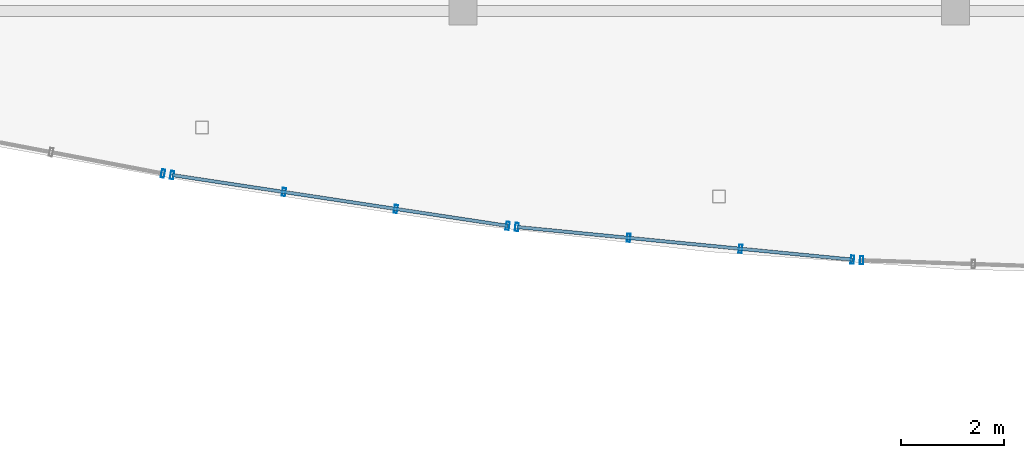
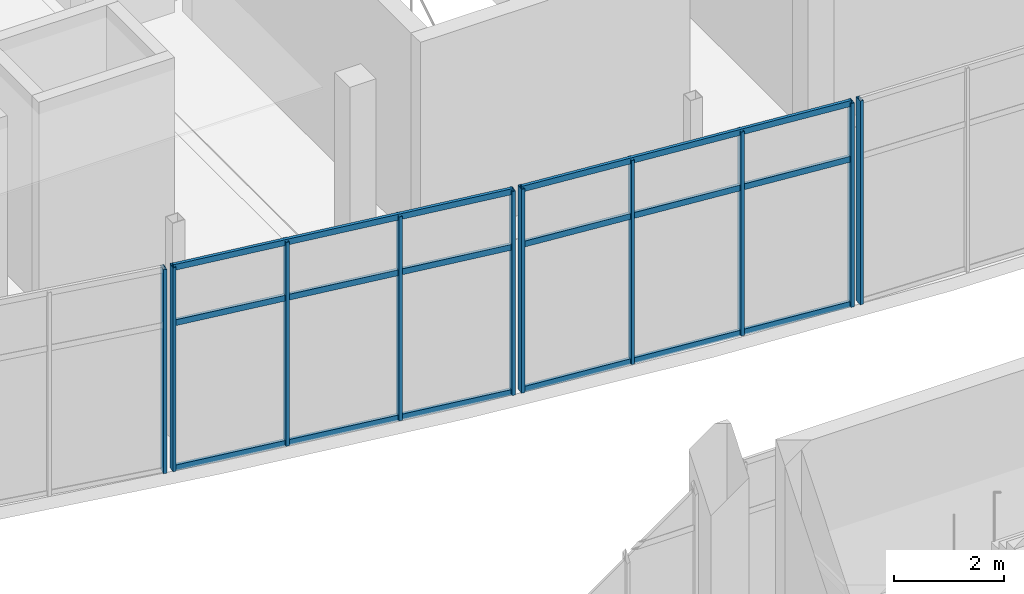
# One storey, part 79 of 157: 16 members, 4 elements without a shape of their own.
"""IFC4 building model written with IfcOpenShell, lengths in metres."""

from ifc_helpers import new_model, si_unit, direction, frame, origin, origin_2d, place, context, subcontext, project, spatial, hollow_rectangle, extrude, material, layer, layer_set, material_profile, profile_set, type_object, element, aggregate, save


model = new_model("IFC4")

# Units and contexts
model_context = context("Model", 3, precision=1e-05, world=origin(), true_north=direction((0.0, 1.0)))
body_context = subcontext(model_context, "Body", "Model", "MODEL_VIEW")
ifc_project = project(units=[si_unit("LENGTHUNIT", "METRE"), si_unit("AREAUNIT", "SQUARE_METRE"), si_unit("VOLUMEUNIT", "CUBIC_METRE"), si_unit("PLANEANGLEUNIT", "RADIAN"), si_unit("MASSUNIT", "GRAM", prefix="KILO")], contexts=[model_context])

# Site, building, storey
site_placement = place(None, origin())
site = spatial("IfcSite", under=ifc_project, at=site_placement, CompositionType="ELEMENT")
building_placement = place(site_placement, origin())
building = spatial("IfcBuilding", under=site, at=building_placement, Name="Chalmorin Arch Market", CompositionType="ELEMENT")
storey_placement = place(building_placement, frame((0.0, 0.0, 4.800048828125)))
storey = spatial("IfcBuildingStorey", under=building, at=storey_placement, Name="L01", CompositionType="ELEMENT", Elevation=4.800048828125)

# Curtain wall, member
ifc_material = material(Name="Aluminium 6063-T6", Category="aluminium")
ifc_layer_1 = layer(ifc_material, 0.159912109375)
ifc_layer_set_1 = layer_set([ifc_layer_1], Name="Aluminium 6063-T6")
curtain_wall_type_1 = type_object("IfcCurtainWallType", Name="CulinaryStudioCurtainWall-CW3-6660x4520", PredefinedType="NOTDEFINED", material=ifc_layer_set_1)
curtain_wall_1_placement = place(storey_placement, origin())
curtain_wall_1 = element("IfcCurtainWall", 1, at=curtain_wall_1_placement, inside=storey, type_object=curtain_wall_type_1, Name="CW-03-153", PredefinedType="NOTDEFINED")
ifc_material_profile_1 = material_profile(ifc_material, hollow_rectangle(XDim=0.06494140625, YDim=0.159912109375, WallThickness=0.00390625, at=origin_2d()), Name="ALU65X160X4")
ifc_profile_set_1 = profile_set([ifc_material_profile_1], Name="Aluminium 6063-T6")
member_type_1 = type_object("IfcMemberType", Name="CurtainWallMullion-65x160", PredefinedType="MULLION", material=ifc_profile_set_1)
member_1_placement = place(storey_placement, frame((61.3515625, 68.8330078125, 0.0), z_axis=(0.0, 0.0, 1.0), x_axis=(0.981627183448, -0.190808995377, 0.0)))
member_1 = element("IfcMember", 2, at=member_1_placement, type_object=member_type_1, Name="ML-153-04", PredefinedType="MULLION", context=body_context, shape_type="SweptSolid", body=[
    extrude(hollow_rectangle(XDim=0.06494140625, YDim=0.159912109375, WallThickness=0.00390625, at=origin_2d()), origin(), (0.0, 0.0, 1.0), 4.52001953125),
])
aggregate(curtain_wall_1, [member_1])

# Curtain wall, members
ifc_layer_2 = layer(ifc_material, 0.159912109375)
ifc_layer_set_2 = layer_set([ifc_layer_2], Name="Aluminium 6063-T6")
curtain_wall_type_2 = type_object("IfcCurtainWallType", Name="CulinaryStudioCurtainWall-CW3-6620x4520", PredefinedType="NOTDEFINED", material=ifc_layer_set_2)
curtain_wall_2_placement = place(storey_placement, origin())
curtain_wall_2 = element("IfcCurtainWall", 3, at=curtain_wall_2_placement, inside=storey, type_object=curtain_wall_type_2, Name="CW-03-156", PredefinedType="NOTDEFINED")
member_2_placement = place(storey_placement, frame((61.529052734375, 68.802490234375, 0.0), z_axis=(0.0, 0.0, 1.0), x_axis=(0.987688340595, -0.15643446504, 0.0)))
member_2 = element("IfcMember", 4, at=member_2_placement, type_object=member_type_1, Name="ML-156-01", PredefinedType="MULLION", context=body_context, shape_type="SweptSolid", body=[
    extrude(hollow_rectangle(XDim=0.06494140625, YDim=0.159912109375, WallThickness=0.00390625, at=origin_2d()), origin(), (0.0, 0.0, 1.0), 4.52001953125),
])
member_3_placement = place(storey_placement, frame((63.709716796875, 68.472412109375, 0.0), z_axis=(0.0, 0.0, 1.0), x_axis=(0.987688340595, -0.15643446504, 0.0)))
member_3 = element("IfcMember", 5, at=member_3_placement, type_object=member_type_1, Name="ML-156-02", PredefinedType="MULLION", context=body_context, shape_type="SweptSolid", body=[
    extrude(hollow_rectangle(XDim=0.06494140625, YDim=0.159912109375, WallThickness=0.00390625, at=origin_2d()), origin(), (0.0, 0.0, 1.0), 4.52001953125),
])
member_4_placement = place(storey_placement, frame((65.890380859375, 68.142578125, 0.0), z_axis=(0.0, 0.0, 1.0), x_axis=(0.987688340595, -0.15643446504, 0.0)))
member_4 = element("IfcMember", 6, at=member_4_placement, type_object=member_type_1, Name="ML-156-03", PredefinedType="MULLION", context=body_context, shape_type="SweptSolid", body=[
    extrude(hollow_rectangle(XDim=0.06494140625, YDim=0.159912109375, WallThickness=0.00390625, at=origin_2d()), origin(), (0.0, 0.0, 1.0), 4.52001953125),
])
member_5_placement = place(storey_placement, frame((68.071044921875, 67.8125, 0.0), z_axis=(0.0, 0.0, 1.0), x_axis=(0.987688340595, -0.15643446504, 0.0)))
member_5 = element("IfcMember", 7, at=member_5_placement, type_object=member_type_1, Name="ML-156-04", PredefinedType="MULLION", context=body_context, shape_type="SweptSolid", body=[
    extrude(hollow_rectangle(XDim=0.06494140625, YDim=0.159912109375, WallThickness=0.00390625, at=origin_2d()), origin(), (0.0, 0.0, 1.0), 4.52001953125),
])

ifc_layer_3 = layer(ifc_material, 0.159912109375)
ifc_layer_set_3 = layer_set([ifc_layer_3], Name="Aluminium 6063-T6")
curtain_wall_type_3 = type_object("IfcCurtainWallType", Name="CulinaryStudioCurtainWall-CW3-6570x4520", PredefinedType="NOTDEFINED", material=ifc_layer_set_3)
curtain_wall_3_placement = place(storey_placement, origin())
curtain_wall_3 = element("IfcCurtainWall", 8, at=curtain_wall_3_placement, inside=storey, type_object=curtain_wall_type_3, Name="CW-03-159", PredefinedType="NOTDEFINED")
member_6_placement = place(storey_placement, frame((68.24951171875, 67.790283203125, 0.0), z_axis=(0.0, 0.0, 1.0), x_axis=(0.994521895368, -0.104528463268, 0.0)))
member_6 = element("IfcMember", 9, at=member_6_placement, type_object=member_type_1, Name="ML-159-01", PredefinedType="MULLION", context=body_context, shape_type="SweptSolid", body=[
    extrude(hollow_rectangle(XDim=0.06494140625, YDim=0.159912109375, WallThickness=0.00390625, at=origin_2d()), origin(), (0.0, 0.0, 1.0), 4.52001953125),
])
member_7_placement = place(storey_placement, frame((70.429931640625, 67.578125, 0.0), z_axis=(0.0, 0.0, 1.0), x_axis=(0.994521895368, -0.104528463268, 0.0)))
member_7 = element("IfcMember", 10, at=member_7_placement, type_object=member_type_1, Name="ML-159-02", PredefinedType="MULLION", context=body_context, shape_type="SweptSolid", body=[
    extrude(hollow_rectangle(XDim=0.06494140625, YDim=0.159912109375, WallThickness=0.00390625, at=origin_2d()), origin(), (0.0, 0.0, 1.0), 4.52001953125),
])
member_8_placement = place(storey_placement, frame((72.610107421875, 67.365966796875, 0.0), z_axis=(0.0, 0.0, 1.0), x_axis=(0.994521895368, -0.104528463268, 0.0)))
member_8 = element("IfcMember", 11, at=member_8_placement, type_object=member_type_1, Name="ML-159-03", PredefinedType="MULLION", context=body_context, shape_type="SweptSolid", body=[
    extrude(hollow_rectangle(XDim=0.06494140625, YDim=0.159912109375, WallThickness=0.00390625, at=origin_2d()), origin(), (0.0, 0.0, 1.0), 4.52001953125),
])
member_9_placement = place(storey_placement, frame((74.790283203125, 67.15380859375, 0.0), z_axis=(0.0, 0.0, 1.0), x_axis=(0.994521895368, -0.104528463268, 0.0)))
member_9 = element("IfcMember", 12, at=member_9_placement, type_object=member_type_1, Name="ML-159-04", PredefinedType="MULLION", context=body_context, shape_type="SweptSolid", body=[
    extrude(hollow_rectangle(XDim=0.06494140625, YDim=0.159912109375, WallThickness=0.00390625, at=origin_2d()), origin(), (0.0, 0.0, 1.0), 4.52001953125),
])

# Curtain wall, member
ifc_layer_4 = layer(ifc_material, 0.159912109375)
ifc_layer_set_4 = layer_set([ifc_layer_4], Name="Aluminium 6063-T6")
curtain_wall_type_4 = type_object("IfcCurtainWallType", Name="CulinaryStudioCurtainWall-CW3-6540x4520", PredefinedType="NOTDEFINED", material=ifc_layer_set_4)
curtain_wall_4_placement = place(storey_placement, origin())
curtain_wall_4 = element("IfcCurtainWall", 13, at=curtain_wall_4_placement, inside=storey, type_object=curtain_wall_type_4, Name="CW-03-162", PredefinedType="NOTDEFINED")
member_10_placement = place(storey_placement, frame((74.969970703125, 67.14208984375, 0.0), z_axis=(0.0, 0.0, 1.0), x_axis=(0.999390827019, -0.034899496703, 0.0)))
member_10 = element("IfcMember", 14, at=member_10_placement, type_object=member_type_1, Name="ML-162-01", PredefinedType="MULLION", context=body_context, shape_type="SweptSolid", body=[
    extrude(hollow_rectangle(XDim=0.06494140625, YDim=0.159912109375, WallThickness=0.00390625, at=origin_2d()), origin(), (0.0, 0.0, 1.0), 4.52001953125),
])
aggregate(curtain_wall_4, [member_10])

# Member
ifc_material_profile_2 = material_profile(ifc_material, hollow_rectangle(XDim=0.06494140625, YDim=0.1298828125, WallThickness=0.00390625, at=origin_2d()), Name="ALU65X130X4")
ifc_profile_set_2 = profile_set([ifc_material_profile_2], Name="Aluminium 6063-T6")
member_type_2 = type_object("IfcMemberType", Name="CurtainWallTransom-65x130", PredefinedType="USERDEFINED", material=ifc_profile_set_2)
member_11_placement = place(storey_placement, frame((61.529052734375, 68.802490234375, 0.034912109375), z_axis=(0.988742814157, -0.149625022817, 0.0), x_axis=(0.149625022817, 0.988742814157, 0.0)))
member_11 = element("IfcMember", 15, at=member_11_placement, type_object=member_type_2, Name="TR-156-01", ObjectType="TRANSOM", PredefinedType="USERDEFINED", context=body_context, shape_type="SweptSolid", body=[
    extrude(hollow_rectangle(XDim=0.06494140625, YDim=0.1298828125, WallThickness=0.00390625, at=origin_2d()), origin(), (0.0, 0.0, 1.0), 6.616455078125),
])

member_12_placement = place(storey_placement, frame((61.529052734375, 68.802490234375, 3.25439453125), z_axis=(0.988742814157, -0.149625022817, 0.0), x_axis=(0.149625022817, 0.988742814157, 0.0)))
member_12 = element("IfcMember", 16, at=member_12_placement, type_object=member_type_2, Name="TR-156-02", ObjectType="TRANSOM", PredefinedType="USERDEFINED", context=body_context, shape_type="SweptSolid", body=[
    extrude(hollow_rectangle(XDim=0.06494140625, YDim=0.1298828125, WallThickness=0.00390625, at=origin_2d()), origin(), (0.0, 0.0, 1.0), 6.616455078125),
])

member_13_placement = place(storey_placement, frame((61.529052734375, 68.802490234375, 4.48486328125), z_axis=(0.988742814157, -0.149625022817, 0.0), x_axis=(0.149625022817, 0.988742814157, 0.0)))
member_13 = element("IfcMember", 17, at=member_13_placement, type_object=member_type_2, Name="TR-156-03", ObjectType="TRANSOM", PredefinedType="USERDEFINED", context=body_context, shape_type="SweptSolid", body=[
    extrude(hollow_rectangle(XDim=0.06494140625, YDim=0.1298828125, WallThickness=0.00390625, at=origin_2d()), origin(), (0.0, 0.0, 1.0), 6.616455078125),
])

aggregate(curtain_wall_2, [member_2, member_3, member_4, member_5, member_11, member_12, member_13])

member_14_placement = place(storey_placement, frame((68.24951171875, 67.790283203125, 0.034912109375), z_axis=(0.995298859057, -0.096851335357, 0.0), x_axis=(0.096851335357, 0.995298859057, 0.0)))
member_14 = element("IfcMember", 18, at=member_14_placement, type_object=member_type_2, Name="TR-159-01", ObjectType="TRANSOM", PredefinedType="USERDEFINED", context=body_context, shape_type="SweptSolid", body=[
    extrude(hollow_rectangle(XDim=0.06494140625, YDim=0.1298828125, WallThickness=0.00390625, at=origin_2d()), origin(), (0.0, 0.0, 1.0), 6.57177734375),
])

member_15_placement = place(storey_placement, frame((68.24951171875, 67.790283203125, 3.25439453125), z_axis=(0.995298859057, -0.096851335357, 0.0), x_axis=(0.096851335357, 0.995298859057, 0.0)))
member_15 = element("IfcMember", 19, at=member_15_placement, type_object=member_type_2, Name="TR-159-02", ObjectType="TRANSOM", PredefinedType="USERDEFINED", context=body_context, shape_type="SweptSolid", body=[
    extrude(hollow_rectangle(XDim=0.06494140625, YDim=0.1298828125, WallThickness=0.00390625, at=origin_2d()), origin(), (0.0, 0.0, 1.0), 6.57177734375),
])

member_16_placement = place(storey_placement, frame((68.24951171875, 67.790283203125, 4.48486328125), z_axis=(0.995298859057, -0.096851335357, 0.0), x_axis=(0.096851335357, 0.995298859057, 0.0)))
member_16 = element("IfcMember", 20, at=member_16_placement, type_object=member_type_2, Name="TR-159-03", ObjectType="TRANSOM", PredefinedType="USERDEFINED", context=body_context, shape_type="SweptSolid", body=[
    extrude(hollow_rectangle(XDim=0.06494140625, YDim=0.1298828125, WallThickness=0.00390625, at=origin_2d()), origin(), (0.0, 0.0, 1.0), 6.57177734375),
])

aggregate(curtain_wall_3, [member_6, member_7, member_8, member_9, member_14, member_15, member_16])

save(model, "model.ifc")
